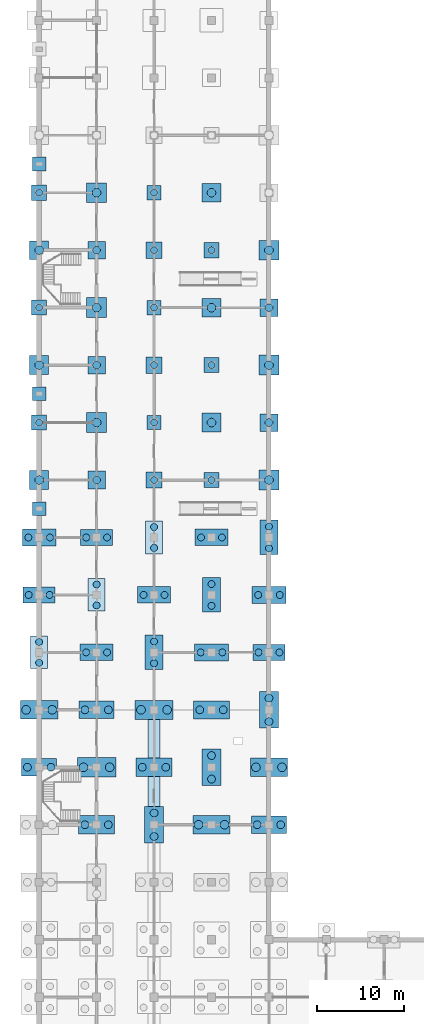
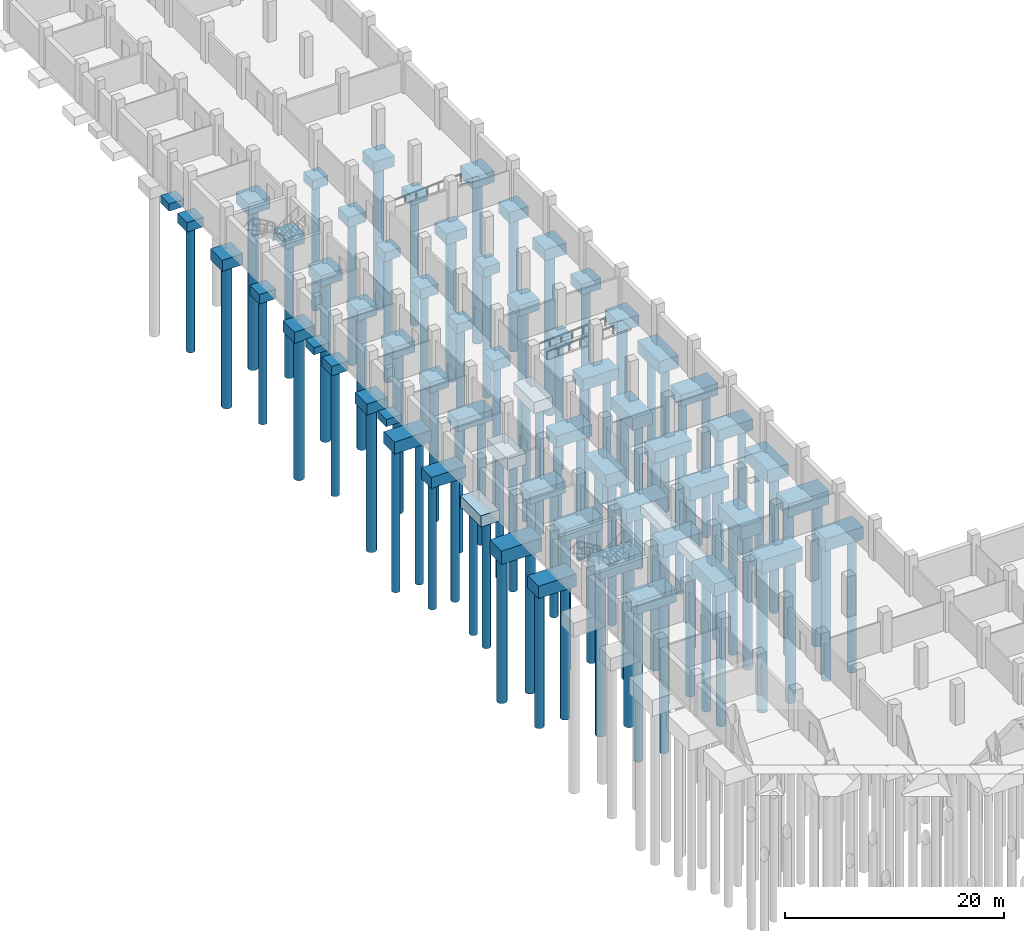
# One storey, part 4 of 18: 87 piles, 63 footings.
"""IFC4 building model written with IfcOpenShell, lengths in metres."""

from ifc_helpers import new_model, si_unit, direction, frame, origin, origin_2d, place, context, subcontext, project, spatial, rectangle, circle, extrude, material, material_profile, profile_set, type_object, element, save


model = new_model("IFC4")

# Units and contexts
model_context = context("Model", 3, precision=1e-05, world=origin(), true_north=direction((0.0, 1.0)))
body_context = subcontext(model_context, "Body", "Model", "MODEL_VIEW")
ifc_project = project(units=[si_unit("LENGTHUNIT", "METRE"), si_unit("AREAUNIT", "SQUARE_METRE"), si_unit("VOLUMEUNIT", "CUBIC_METRE"), si_unit("PLANEANGLEUNIT", "RADIAN"), si_unit("MASSUNIT", "GRAM", prefix="KILO")], contexts=[model_context])

# Site, building, storey
site_placement = place(None, origin())
site = spatial("IfcSite", under=ifc_project, at=site_placement, CompositionType="ELEMENT")
building_placement = place(site_placement, origin())
building = spatial("IfcBuilding", under=site, at=building_placement, Name="Rusizi Kubbe Research Institute", CompositionType="ELEMENT")
storey_placement = place(building_placement, frame((0.0, 0.0, -4.5)))
storey = spatial("IfcBuildingStorey", under=building, at=storey_placement, Name="B01", CompositionType="ELEMENT", Elevation=-4.5)

# Piles
ifc_material_1 = material(Name="Concrete C40/50", Category="concrete")
ifc_material_profile_1 = material_profile(ifc_material_1, circle(Radius=0.39990234375, at=origin_2d()), Name="PILE-D800")
ifc_profile_set_1 = profile_set([ifc_material_profile_1], Name="Concrete C40/50")
pile_type_1 = type_object("IfcPileType", Name="P-01", PredefinedType="BORED", material=ifc_profile_set_1)
for number, where, z_axis, x_axis, name in (
    (1, (0.0, 84.60009765625, -1.9599609375), (0.0, 0.0, -1.0), (1.0, 0.0, 0.0), "Bored Pile P-01 (0,13)-1"),
    (2, (0.0, 87.0, -1.9599609375), (0.0, 0.0, -1.0), (1.0, 0.0, 0.0), "Bored Pile P-01 (0,13)-2"),
    (3, (-1.199951171875, 92.39990234375, -1.93994140625), (0.0, 0.0, -1.0), (1.0, 0.0, 0.0), "Bored Pile P-01 (0,14)-1"),
    (4, (1.199951171875, 92.39990234375, -1.93994140625), (0.0, 0.0, -1.0), (1.0, 0.0, 0.0), "Bored Pile P-01 (0,14)-2"),
    (5, (0.0, 112.199951171875, -1.760009765625), (0.0, 0.0, -1.0), (1.0, 0.0, 0.0), "Bored Pile P-01 (0,17)-1"),
    (6, (0.0, 125.39990234375, -1.760009765625), (0.0, 0.0, -1.0), (1.0, 0.0, 0.0), "Bored Pile P-01 (0,19)-1"),
    (7, (0.0, 138.60009765625, -1.760009765625), (0.0, 0.0, -1.0), (1.0, 0.0, 0.0), "Bored Pile P-01 (0,21)-1"),
    (8, (5.39990234375, 85.800048828125, -1.97998046875), (0.0, 0.0, -1.0), (1.0, 0.0, 0.0), "Bored Pile P-01 (1,13)-1"),
    (9, (7.800048828125, 85.800048828125, -1.97998046875), (0.0, 0.0, -1.0), (1.0, 0.0, 0.0), "Bored Pile P-01 (1,13)-2"),
    (10, (6.60009765625, 91.199951171875, -1.9599609375), (0.0, 0.0, -1.0), (1.0, 0.0, 0.0), "Bored Pile P-01 (1,14)-1"),
    (11, (6.60009765625, 93.60009765625, -1.9599609375), (0.0, 0.0, -1.0), (1.0, 0.0, 0.0), "Bored Pile P-01 (1,14)-2"),
    (12, (5.39990234375, 99.0, -1.93994140625), (0.0, 0.0, -1.0), (1.0, 0.0, 0.0), "Bored Pile P-01 (1,15)-1"),
    (13, (7.800048828125, 99.0, -1.93994140625), (0.0, 0.0, -1.0), (1.0, 0.0, 0.0), "Bored Pile P-01 (1,15)-2"),
    (14, (12.0, 92.39990234375, -1.97998046875), (0.0, 0.0, -1.0), (1.0, 0.0, 0.0), "Bored Pile P-01 (2,14)-1"),
    (15, (14.39990234375, 92.39990234375, -1.97998046875), (0.0, 0.0, -1.0), (1.0, 0.0, 0.0), "Bored Pile P-01 (2,14)-2"),
    (16, (13.199951171875, 97.800048828125, -1.9599609375), (0.0, 0.0, -1.0), (1.0, 0.0, 0.0), "Bored Pile P-01 (2,15)-1"),
    (17, (13.199951171875, 100.199951171875, -1.9599609375), (0.0, 0.0, -1.0), (1.0, 0.0, 0.0), "Bored Pile P-01 (2,15)-2"),
    (18, (13.199951171875, 112.199951171875, -1.719970703125), (0.0, 0.0, -1.0), (1.0, 0.0, 0.0), "Bored Pile P-01 (2,17)-1"),
    (19, (13.199951171875, 125.39990234375, -1.719970703125), (0.0, 0.0, -1.0), (1.0, 0.0, 0.0), "Bored Pile P-01 (2,19)-1"),
    (20, (13.199951171875, 138.60009765625, -1.719970703125), (0.0, 0.0, -1.0), (1.0, 0.0, 0.0), "Bored Pile P-01 (2,21)-1"),
    (21, (18.60009765625, 99.0, -1.97998046875), (0.0, 0.0, -1.0), (1.0, 0.0, 0.0), "Bored Pile P-01 (3,15)-1"),
    (22, (21.0, 99.0, -1.97998046875), (0.0, 0.0, -1.0), (1.0, 0.0, 0.0), "Bored Pile P-01 (3,15)-2"),
    (23, (19.800048828125, 105.60009765625, -1.760009765625), (0.0, 0.0, -1.0), (1.0, 0.0, 0.0), "Bored Pile P-01 (3,16)-1"),
    (24, (19.800048828125, 118.800048828125, -1.760009765625), (0.0, 0.0, -1.0), (1.0, 0.0, 0.0), "Bored Pile P-01 (3,18)-1"),
    (25, (19.800048828125, 132.0, -1.760009765625), (0.0, 0.0, -1.0), (1.0, 0.0, 0.0), "Bored Pile P-01 (3,20)-1"),
    (26, (25.199951171875, 85.800048828125, -1.93994140625), (0.0, 0.0, -1.0), (1.0, 0.0, 0.0), "Bored Pile P-01 (4,13)-1"),
    (27, (27.60009765625, 85.800048828125, -1.93994140625), (0.0, 0.0, -1.0), (1.0, 0.0, 0.0), "Bored Pile P-01 (4,13)-2"),
):
    element("IfcPile", number, at=place(storey_placement, frame(where, z_axis=z_axis, x_axis=x_axis)), inside=storey, type_object=pile_type_1, Name=name, PredefinedType="BORED", context=body_context, shape_type="SweptSolid", body=[
        extrude(circle(Radius=0.39990234375, at=origin_2d()), origin(), (0.0, 0.0, 1.0), 14.0),
    ])
ifc_material_2 = material(Name="Concrete C40/50", Category="concrete")
ifc_material_profile_2 = material_profile(ifc_material_2, circle(Radius=0.39990234375, at=origin_2d()), Name="PILE-D800")
ifc_profile_set_2 = profile_set([ifc_material_profile_2], Name="Concrete C40/50")
pile_type_2 = type_object("IfcPileType", Name="P-02", PredefinedType="BORED", material=ifc_profile_set_2)
for number, where, z_axis, x_axis, name in (
    (28, (-1.239990234375, 99.0, -2.030029296875), (0.0, 0.0, -1.0), (1.0, 0.0, 0.0), "Bored Pile P-02 (0,15)-1"),
    (29, (1.239990234375, 99.0, -2.030029296875), (0.0, 0.0, -1.0), (1.0, 0.0, 0.0), "Bored Pile P-02 (0,15)-2"),
    (30, (13.199951171875, 84.550048828125, -2.06005859375), (0.0, 0.0, -1.0), (1.0, 0.0, 0.0), "Bored Pile P-02 (2,13)-1"),
    (31, (13.199951171875, 87.050048828125, -2.06005859375), (0.0, 0.0, -1.0), (1.0, 0.0, 0.0), "Bored Pile P-02 (2,13)-2"),
    (32, (13.199951171875, 105.60009765625, -1.820068359375), (0.0, 0.0, -1.0), (1.0, 0.0, 0.0), "Bored Pile P-02 (2,16)-1"),
    (33, (13.199951171875, 118.800048828125, -1.820068359375), (0.0, 0.0, -1.0), (1.0, 0.0, 0.0), "Bored Pile P-02 (2,18)-1"),
    (34, (13.199951171875, 132.0, -1.820068359375), (0.0, 0.0, -1.0), (1.0, 0.0, 0.0), "Bored Pile P-02 (2,20)-1"),
    (35, (18.56005859375, 85.800048828125, -2.030029296875), (0.0, 0.0, -1.0), (1.0, 0.0, 0.0), "Bored Pile P-02 (3,13)-1"),
    (36, (21.0400390625, 85.800048828125, -2.030029296875), (0.0, 0.0, -1.0), (1.0, 0.0, 0.0), "Bored Pile P-02 (3,13)-2"),
    (37, (19.800048828125, 91.14990234375, -2.06005859375), (0.0, 0.0, -1.0), (1.0, 0.0, 0.0), "Bored Pile P-02 (3,14)-1"),
    (38, (19.800048828125, 93.64990234375, -2.06005859375), (0.0, 0.0, -1.0), (1.0, 0.0, 0.0), "Bored Pile P-02 (3,14)-2"),
    (39, (25.159912109375, 92.39990234375, -2.030029296875), (0.0, 0.0, -1.0), (1.0, 0.0, 0.0), "Bored Pile P-02 (4,14)-1"),
    (40, (27.639892578125, 92.39990234375, -2.030029296875), (0.0, 0.0, -1.0), (1.0, 0.0, 0.0), "Bored Pile P-02 (4,14)-2"),
    (41, (26.39990234375, 97.75, -2.06005859375), (0.0, 0.0, -1.0), (1.0, 0.0, 0.0), "Bored Pile P-02 (4,15)-1"),
    (42, (26.39990234375, 100.25, -2.06005859375), (0.0, 0.0, -1.0), (1.0, 0.0, 0.0), "Bored Pile P-02 (4,15)-2"),
):
    element("IfcPile", number, at=place(storey_placement, frame(where, z_axis=z_axis, x_axis=x_axis)), inside=storey, type_object=pile_type_2, Name=name, PredefinedType="BORED", context=body_context, shape_type="SweptSolid", body=[
        extrude(circle(Radius=0.39990234375, at=origin_2d()), origin(), (0.0, 0.0, 1.0), 16.0),
    ])
ifc_material_3 = material(Name="Concrete C40/50", Category="concrete")
ifc_material_profile_3 = material_profile(ifc_material_3, circle(Radius=0.449951171875, at=origin_2d()), Name="PILE-D900")
ifc_profile_set_3 = profile_set([ifc_material_profile_3], Name="Concrete C40/50")
pile_type_3 = type_object("IfcPileType", Name="P-03", PredefinedType="BORED", material=ifc_profile_set_3)
for number, where, z_axis, x_axis, name in (
    (43, (-1.35009765625, 72.60009765625, -2.080078125), (0.0, 0.0, -1.0), (1.0, 0.0, 0.0), "Bored Pile P-03 (0,11)-1"),
    (44, (1.35009765625, 72.60009765625, -2.080078125), (0.0, 0.0, -1.0), (1.0, 0.0, 0.0), "Bored Pile P-03 (0,11)-2"),
    (45, (5.25, 79.199951171875, -2.080078125), (0.0, 0.0, -1.0), (1.0, 0.0, 0.0), "Bored Pile P-03 (1,12)-1"),
    (46, (7.949951171875, 79.199951171875, -2.080078125), (0.0, 0.0, -1.0), (1.0, 0.0, 0.0), "Bored Pile P-03 (1,12)-2"),
    (47, (6.60009765625, 105.60009765625, -1.8798828125), (0.0, 0.0, -1.0), (1.0, 0.0, 0.0), "Bored Pile P-03 (1,16)-1"),
    (48, (6.60009765625, 118.800048828125, -1.8798828125), (0.0, 0.0, -1.0), (1.0, 0.0, 0.0), "Bored Pile P-03 (1,18)-1"),
    (49, (6.60009765625, 132.0, -1.8798828125), (0.0, 0.0, -1.0), (1.0, 0.0, 0.0), "Bored Pile P-03 (1,20)-1"),
    (50, (13.199951171875, 64.64990234375, -2.159912109375), (0.0, 0.0, -1.0), (1.0, 0.0, 0.0), "Bored Pile P-03 (2,10)-1"),
    (51, (13.199951171875, 67.35009765625, -2.159912109375), (0.0, 0.0, -1.0), (1.0, 0.0, 0.0), "Bored Pile P-03 (2,10)-2"),
    (52, (19.800048828125, 71.25, -2.159912109375), (0.0, 0.0, -1.0), (1.0, 0.0, 0.0), "Bored Pile P-03 (3,11)-1"),
    (53, (19.800048828125, 73.949951171875, -2.159912109375), (0.0, 0.0, -1.0), (1.0, 0.0, 0.0), "Bored Pile P-03 (3,11)-2"),
    (54, (25.050048828125, 66.0, -2.080078125), (0.0, 0.0, -1.0), (1.0, 0.0, 0.0), "Bored Pile P-03 (4,10)-1"),
    (55, (27.75, 66.0, -2.080078125), (0.0, 0.0, -1.0), (1.0, 0.0, 0.0), "Bored Pile P-03 (4,10)-2"),
    (56, (26.39990234375, 77.85009765625, -2.159912109375), (0.0, 0.0, -1.0), (1.0, 0.0, 0.0), "Bored Pile P-03 (4,12)-1"),
    (57, (26.39990234375, 80.550048828125, -2.159912109375), (0.0, 0.0, -1.0), (1.0, 0.0, 0.0), "Bored Pile P-03 (4,12)-2"),
    (58, (26.39990234375, 112.199951171875, -1.8798828125), (0.0, 0.0, -1.0), (1.0, 0.0, 0.0), "Bored Pile P-03 (4,17)-1"),
    (59, (26.39990234375, 125.39990234375, -1.8798828125), (0.0, 0.0, -1.0), (1.0, 0.0, 0.0), "Bored Pile P-03 (4,19)-1"),
):
    element("IfcPile", number, at=place(storey_placement, frame(where, z_axis=z_axis, x_axis=x_axis)), inside=storey, type_object=pile_type_3, Name=name, PredefinedType="BORED", context=body_context, shape_type="SweptSolid", body=[
        extrude(circle(Radius=0.449951171875, at=origin_2d()), origin(), (0.0, 0.0, 1.0), 15.0),
    ])
ifc_material_4 = material(Name="Concrete C40/50", Category="concrete")
ifc_material_profile_4 = material_profile(ifc_material_4, circle(Radius=0.449951171875, at=origin_2d()), Name="PILE-D900")
ifc_profile_set_4 = profile_set([ifc_material_profile_4], Name="Concrete C40/50")
pile_type_4 = type_object("IfcPileType", Name="P-04", PredefinedType="BORED", material=ifc_profile_set_4)
for number, where, z_axis, x_axis, name in (
    (60, (5.25, 66.0, -2.139892578125), (0.0, 0.0, -1.0), (1.0, 0.0, 0.0), "Bored Pile P-04 (1,10)-1"),
    (61, (7.949951171875, 66.0, -2.139892578125), (0.0, 0.0, -1.0), (1.0, 0.0, 0.0), "Bored Pile P-04 (1,10)-2"),
    (62, (11.85009765625, 72.60009765625, -2.139892578125), (0.0, 0.0, -1.0), (1.0, 0.0, 0.0), "Bored Pile P-04 (2,11)-1"),
    (63, (14.550048828125, 72.60009765625, -2.139892578125), (0.0, 0.0, -1.0), (1.0, 0.0, 0.0), "Bored Pile P-04 (2,11)-2"),
    (64, (18.449951171875, 79.199951171875, -2.139892578125), (0.0, 0.0, -1.0), (1.0, 0.0, 0.0), "Bored Pile P-04 (3,12)-1"),
    (65, (21.14990234375, 79.199951171875, -2.139892578125), (0.0, 0.0, -1.0), (1.0, 0.0, 0.0), "Bored Pile P-04 (3,12)-2"),
):
    element("IfcPile", number, at=place(storey_placement, frame(where, z_axis=z_axis, x_axis=x_axis)), inside=storey, type_object=pile_type_4, Name=name, PredefinedType="BORED", context=body_context, shape_type="SweptSolid", body=[
        extrude(circle(Radius=0.449951171875, at=origin_2d()), origin(), (0.0, 0.0, 1.0), 17.0),
    ])
ifc_material_5 = material(Name="Concrete C40/50", Category="concrete")
ifc_material_profile_5 = material_profile(ifc_material_5, circle(Radius=0.5, at=origin_2d()), Name="PILE-D1000")
ifc_profile_set_5 = profile_set([ifc_material_profile_5], Name="Concrete C40/50")
pile_type_5 = type_object("IfcPileType", Name="P-05", PredefinedType="BORED", material=ifc_profile_set_5)
for number, where, z_axis, x_axis, name in (
    (66, (-1.5, 79.199951171875, -2.199951171875), (0.0, 0.0, -1.0), (1.0, 0.0, 0.0), "Bored Pile P-05 (0,12)-1"),
    (67, (1.5, 79.199951171875, -2.199951171875), (0.0, 0.0, -1.0), (1.0, 0.0, 0.0), "Bored Pile P-05 (0,12)-2"),
    (68, (0.0, 105.60009765625, -1.919921875), (0.0, 0.0, -1.0), (1.0, 0.0, 0.0), "Bored Pile P-05 (0,16)-1"),
    (69, (0.0, 118.800048828125, -1.919921875), (0.0, 0.0, -1.0), (1.0, 0.0, 0.0), "Bored Pile P-05 (0,18)-1"),
    (70, (0.0, 132.0, -1.919921875), (0.0, 0.0, -1.0), (1.0, 0.0, 0.0), "Bored Pile P-05 (0,20)-1"),
    (71, (18.300048828125, 66.0, -2.199951171875), (0.0, 0.0, -1.0), (1.0, 0.0, 0.0), "Bored Pile P-05 (3,10)-1"),
    (72, (21.300048828125, 66.0, -2.199951171875), (0.0, 0.0, -1.0), (1.0, 0.0, 0.0), "Bored Pile P-05 (3,10)-2"),
    (73, (19.800048828125, 112.199951171875, -1.919921875), (0.0, 0.0, -1.0), (1.0, 0.0, 0.0), "Bored Pile P-05 (3,17)-1"),
    (74, (19.800048828125, 125.39990234375, -1.919921875), (0.0, 0.0, -1.0), (1.0, 0.0, 0.0), "Bored Pile P-05 (3,19)-1"),
    (75, (19.800048828125, 138.60009765625, -1.919921875), (0.0, 0.0, -1.0), (1.0, 0.0, 0.0), "Bored Pile P-05 (3,21)-1"),
    (76, (24.89990234375, 72.60009765625, -2.199951171875), (0.0, 0.0, -1.0), (1.0, 0.0, 0.0), "Bored Pile P-05 (4,11)-1"),
    (77, (27.89990234375, 72.60009765625, -2.199951171875), (0.0, 0.0, -1.0), (1.0, 0.0, 0.0), "Bored Pile P-05 (4,11)-2"),
):
    element("IfcPile", number, at=place(storey_placement, frame(where, z_axis=z_axis, x_axis=x_axis)), inside=storey, type_object=pile_type_5, Name=name, PredefinedType="BORED", context=body_context, shape_type="SweptSolid", body=[
        extrude(circle(Radius=0.5, at=origin_2d()), origin(), (0.0, 0.0, 1.0), 16.0),
    ])
ifc_material_6 = material(Name="Concrete C40/50", Category="concrete")
ifc_material_profile_6 = material_profile(ifc_material_6, circle(Radius=0.5, at=origin_2d()), Name="PILE-D1000")
ifc_profile_set_6 = profile_set([ifc_material_profile_6], Name="Concrete C40/50")
pile_type_6 = type_object("IfcPileType", Name="P-06", PredefinedType="BORED", material=ifc_profile_set_6)
for number, where, z_axis, x_axis, name in (
    (78, (5.10009765625, 72.60009765625, -2.25), (0.0, 0.0, -1.0), (1.0, 0.0, 0.0), "Bored Pile P-06 (1,11)-1"),
    (79, (8.10009765625, 72.60009765625, -2.25), (0.0, 0.0, -1.0), (1.0, 0.0, 0.0), "Bored Pile P-06 (1,11)-2"),
    (80, (6.60009765625, 112.199951171875, -1.9599609375), (0.0, 0.0, -1.0), (1.0, 0.0, 0.0), "Bored Pile P-06 (1,17)-1"),
    (81, (6.60009765625, 125.39990234375, -1.9599609375), (0.0, 0.0, -1.0), (1.0, 0.0, 0.0), "Bored Pile P-06 (1,19)-1"),
    (82, (6.60009765625, 138.60009765625, -1.9599609375), (0.0, 0.0, -1.0), (1.0, 0.0, 0.0), "Bored Pile P-06 (1,21)-1"),
    (83, (11.699951171875, 79.199951171875, -2.25), (0.0, 0.0, -1.0), (1.0, 0.0, 0.0), "Bored Pile P-06 (2,12)-1"),
    (84, (14.699951171875, 79.199951171875, -2.25), (0.0, 0.0, -1.0), (1.0, 0.0, 0.0), "Bored Pile P-06 (2,12)-2"),
    (85, (26.39990234375, 105.60009765625, -1.9599609375), (0.0, 0.0, -1.0), (1.0, 0.0, 0.0), "Bored Pile P-06 (4,16)-1"),
    (86, (26.39990234375, 118.800048828125, -1.9599609375), (0.0, 0.0, -1.0), (1.0, 0.0, 0.0), "Bored Pile P-06 (4,18)-1"),
    (87, (26.39990234375, 132.0, -1.9599609375), (0.0, 0.0, -1.0), (1.0, 0.0, 0.0), "Bored Pile P-06 (4,20)-1"),
):
    element("IfcPile", number, at=place(storey_placement, frame(where, z_axis=z_axis, x_axis=x_axis)), inside=storey, type_object=pile_type_6, Name=name, PredefinedType="BORED", context=body_context, shape_type="SweptSolid", body=[
        extrude(circle(Radius=0.5, at=origin_2d()), origin(), (0.0, 0.0, 1.0), 18.0),
    ])

# Footings
ifc_material_7 = material(Name="Concrete C40/50", Category="concrete")
footing_type_1 = type_object("IfcFootingType", Name="PC-05", PredefinedType="PILE_CAP", material=ifc_material_7)
for number, where, z_axis, x_axis, name in (
    (88, (6.60009765625, 72.60009765625, -2.25), (0.0, 0.0, 1.0), (1.0, 0.0, 0.0), "Pile Cap PC-05 (1,11)"),
    (89, (13.199951171875, 79.199951171875, -2.25), (0.0, 0.0, 1.0), (1.0, 0.0, 0.0), "Pile Cap PC-05 (2,12)"),
):
    element("IfcFooting", number, at=place(storey_placement, frame(where, z_axis=z_axis, x_axis=x_axis)), inside=storey, type_object=footing_type_1, Name=name, PredefinedType="PILE_CAP", context=body_context, shape_type="SweptSolid", body=[
        extrude(rectangle(XDim=4.39990234375, YDim=2.199951171875, at=origin_2d()), origin(), (0.0, 0.0, 1.0), 1.550048828125),
    ])
ifc_material_8 = material(Name="Concrete C40/50", Category="concrete")
footing_type_2 = type_object("IfcFootingType", Name="PC-06", PredefinedType="PILE_CAP", material=ifc_material_8)
for number, where, z_axis, x_axis, name in (
    (90, (0.0, 79.199951171875, -2.199951171875), (0.0, 0.0, 1.0), (1.0, 0.0, 0.0), "Pile Cap PC-06 (0,12)"),
    (91, (19.800048828125, 66.0, -2.199951171875), (0.0, 0.0, 1.0), (1.0, 0.0, 0.0), "Pile Cap PC-06 (3,10)"),
    (92, (26.39990234375, 72.60009765625, -2.199951171875), (0.0, 0.0, 1.0), (1.0, 0.0, 0.0), "Pile Cap PC-06 (4,11)"),
):
    element("IfcFooting", number, at=place(storey_placement, frame(where, z_axis=z_axis, x_axis=x_axis)), inside=storey, type_object=footing_type_2, Name=name, PredefinedType="PILE_CAP", context=body_context, shape_type="SweptSolid", body=[
        extrude(rectangle(XDim=4.280029296875, YDim=2.139892578125, at=origin_2d()), origin(), (0.0, 0.0, 1.0), 1.5),
    ])
ifc_material_9 = material(Name="Concrete C40/50", Category="concrete")
footing_type_3 = type_object("IfcFootingType", Name="PC-07", PredefinedType="PILE_CAP", material=ifc_material_9)
for number, where, z_axis, x_axis, name in (
    (93, (6.60009765625, 66.0, -2.139892578125), (0.0, 0.0, 1.0), (1.0, 0.0, 0.0), "Pile Cap PC-07 (1,10)"),
    (94, (13.199951171875, 72.60009765625, -2.139892578125), (0.0, 0.0, 1.0), (1.0, 0.0, 0.0), "Pile Cap PC-07 (2,11)"),
    (95, (19.800048828125, 79.199951171875, -2.139892578125), (0.0, 0.0, 1.0), (1.0, 0.0, 0.0), "Pile Cap PC-07 (3,12)"),
):
    element("IfcFooting", number, at=place(storey_placement, frame(where, z_axis=z_axis, x_axis=x_axis)), inside=storey, type_object=footing_type_3, Name=name, PredefinedType="PILE_CAP", context=body_context, shape_type="SweptSolid", body=[
        extrude(rectangle(XDim=4.1201171875, YDim=2.080078125, at=origin_2d()), origin(), (0.0, 0.0, 1.0), 1.43994140625),
    ])
ifc_material_10 = material(Name="Concrete C40/50", Category="concrete")
footing_type_4 = type_object("IfcFootingType", Name="PC-08", PredefinedType="PILE_CAP", material=ifc_material_10)
for number, where, z_axis, x_axis, name in (
    (96, (0.0, 72.60009765625, -2.079833984375), (0.0, 0.0, 1.0), (1.0, 0.0, 0.0), "Pile Cap PC-08 (0,11)"),
    (97, (6.60009765625, 79.199951171875, -2.079833984375), (0.0, 0.0, 1.0), (1.0, 0.0, 0.0), "Pile Cap PC-08 (1,12)"),
    (98, (26.39990234375, 66.0, -2.079833984375), (0.0, 0.0, 1.0), (1.0, 0.0, 0.0), "Pile Cap PC-08 (4,10)"),
):
    element("IfcFooting", number, at=place(storey_placement, frame(where, z_axis=z_axis, x_axis=x_axis)), inside=storey, type_object=footing_type_4, Name=name, PredefinedType="PILE_CAP", context=body_context, shape_type="SweptSolid", body=[
        extrude(rectangle(XDim=4.0, YDim=2.0, at=origin_2d()), origin(), (0.0, 0.0, 1.0), 1.3798828125),
    ])
ifc_material_11 = material(Name="Concrete C40/50", Category="concrete")
footing_type_5 = type_object("IfcFootingType", Name="PC-09", PredefinedType="PILE_CAP", material=ifc_material_11)
for number, where, z_axis, x_axis, name in (
    (99, (0.0, 99.0, -2.030029296875), (0.0, 0.0, 1.0), (1.0, 0.0, 0.0), "Pile Cap PC-09 (0,15)"),
    (100, (19.800048828125, 85.800048828125, -2.030029296875), (0.0, 0.0, 1.0), (1.0, 0.0, 0.0), "Pile Cap PC-09 (3,13)"),
    (101, (26.39990234375, 92.39990234375, -2.030029296875), (0.0, 0.0, 1.0), (1.0, 0.0, 0.0), "Pile Cap PC-09 (4,14)"),
):
    element("IfcFooting", number, at=place(storey_placement, frame(where, z_axis=z_axis, x_axis=x_axis)), inside=storey, type_object=footing_type_5, Name=name, PredefinedType="PILE_CAP", context=body_context, shape_type="SweptSolid", body=[
        extrude(rectangle(XDim=3.8798828125, YDim=1.9599609375, at=origin_2d()), origin(), (0.0, 0.0, 1.0), 1.330078125),
    ])
ifc_material_12 = material(Name="Concrete C40/50", Category="concrete")
footing_type_6 = type_object("IfcFootingType", Name="PC-10", PredefinedType="PILE_CAP", material=ifc_material_12)
for number, where, z_axis, x_axis, name in (
    (102, (6.60009765625, 85.800048828125, -1.97998046875), (0.0, 0.0, 1.0), (1.0, 0.0, 0.0), "Pile Cap PC-10 (1,13)"),
    (103, (13.199951171875, 92.39990234375, -1.97998046875), (0.0, 0.0, 1.0), (1.0, 0.0, 0.0), "Pile Cap PC-10 (2,14)"),
    (104, (19.800048828125, 99.0, -1.97998046875), (0.0, 0.0, 1.0), (1.0, 0.0, 0.0), "Pile Cap PC-10 (3,15)"),
):
    element("IfcFooting", number, at=place(storey_placement, frame(where, z_axis=z_axis, x_axis=x_axis)), inside=storey, type_object=footing_type_6, Name=name, PredefinedType="PILE_CAP", context=body_context, shape_type="SweptSolid", body=[
        extrude(rectangle(XDim=3.760009765625, YDim=1.89990234375, at=origin_2d()), origin(), (0.0, 0.0, 1.0), 1.280029296875),
    ])
ifc_material_13 = material(Name="Concrete C40/50", Category="concrete")
footing_type_7 = type_object("IfcFootingType", Name="PC-11", PredefinedType="PILE_CAP", material=ifc_material_13)
for number, where, z_axis, x_axis, name in (
    (105, (0.0, 92.39990234375, -1.93994140625), (0.0, 0.0, 1.0), (1.0, 0.0, 0.0), "Pile Cap PC-11 (0,14)"),
    (106, (6.60009765625, 99.0, -1.93994140625), (0.0, 0.0, 1.0), (1.0, 0.0, 0.0), "Pile Cap PC-11 (1,15)"),
    (107, (26.39990234375, 85.800048828125, -1.93994140625), (0.0, 0.0, 1.0), (1.0, 0.0, 0.0), "Pile Cap PC-11 (4,13)"),
):
    element("IfcFooting", number, at=place(storey_placement, frame(where, z_axis=z_axis, x_axis=x_axis)), inside=storey, type_object=footing_type_7, Name=name, PredefinedType="PILE_CAP", context=body_context, shape_type="SweptSolid", body=[
        extrude(rectangle(XDim=3.659912109375, YDim=1.840087890625, at=origin_2d()), origin(), (0.0, 0.0, 1.0), 1.239990234375),
    ])
ifc_material_14 = material(Name="Concrete C40/50", Category="concrete")
footing_type_8 = type_object("IfcFootingType", Name="PC-12", PredefinedType="PILE_CAP", material=ifc_material_14)
for number, where, z_axis, x_axis, name in (
    (108, (13.199951171875, 66.0, -2.159912109375), (0.0, 0.0, 1.0), (1.0, 0.0, 0.0), "Pile Cap PC-12 (2,10)"),
    (109, (19.800048828125, 72.60009765625, -2.159912109375), (0.0, 0.0, 1.0), (1.0, 0.0, 0.0), "Pile Cap PC-12 (3,11)"),
    (110, (26.39990234375, 79.199951171875, -2.159912109375), (0.0, 0.0, 1.0), (1.0, 0.0, 0.0), "Pile Cap PC-12 (4,12)"),
):
    element("IfcFooting", number, at=place(storey_placement, frame(where, z_axis=z_axis, x_axis=x_axis)), inside=storey, type_object=footing_type_8, Name=name, PredefinedType="PILE_CAP", context=body_context, shape_type="SweptSolid", body=[
        extrude(rectangle(XDim=2.199951171875, YDim=4.159912109375, at=origin_2d()), origin(), (0.0, 0.0, 1.0), 1.4599609375),
    ])
ifc_material_15 = material(Name="Concrete C40/50", Category="concrete")
footing_type_9 = type_object("IfcFootingType", Name="PC-13", PredefinedType="PILE_CAP", material=ifc_material_15)
for number, where, z_axis, x_axis, name in (
    (111, (13.199951171875, 85.800048828125, -2.06005859375), (0.0, 0.0, 1.0), (1.0, 0.0, 0.0), "Pile Cap PC-13 (2,13)"),
    (112, (19.800048828125, 92.39990234375, -2.06005859375), (0.0, 0.0, 1.0), (1.0, 0.0, 0.0), "Pile Cap PC-13 (3,14)"),
    (113, (26.39990234375, 99.0, -2.06005859375), (0.0, 0.0, 1.0), (1.0, 0.0, 0.0), "Pile Cap PC-13 (4,15)"),
):
    element("IfcFooting", number, at=place(storey_placement, frame(where, z_axis=z_axis, x_axis=x_axis)), inside=storey, type_object=footing_type_9, Name=name, PredefinedType="PILE_CAP", context=body_context, shape_type="SweptSolid", body=[
        extrude(rectangle(XDim=2.06005859375, YDim=3.9599609375, at=origin_2d()), origin(), (0.0, 0.0, 1.0), 1.360107421875),
    ])
ifc_material_16 = material(Name="Concrete C40/50", Category="concrete")
footing_type_10 = type_object("IfcFootingType", Name="PC-14", PredefinedType="PILE_CAP", material=ifc_material_16)
for number, where, z_axis, x_axis, name in (
    (114, (0.0, 85.800048828125, -1.9599609375), (0.0, 0.0, 1.0), (1.0, 0.0, 0.0), "Pile Cap PC-14 (0,13)"),
    (115, (6.60009765625, 92.39990234375, -1.9599609375), (0.0, 0.0, 1.0), (1.0, 0.0, 0.0), "Pile Cap PC-14 (1,14)"),
    (116, (13.199951171875, 99.0, -1.9599609375), (0.0, 0.0, 1.0), (1.0, 0.0, 0.0), "Pile Cap PC-14 (2,15)"),
):
    element("IfcFooting", number, at=place(storey_placement, frame(where, z_axis=z_axis, x_axis=x_axis)), inside=storey, type_object=footing_type_10, Name=name, PredefinedType="PILE_CAP", context=body_context, shape_type="SweptSolid", body=[
        extrude(rectangle(XDim=1.93994140625, YDim=3.739990234375, at=origin_2d()), origin(), (0.0, 0.0, 1.0), 1.260009765625),
    ])
ifc_material_17 = material(Name="Concrete C40/50", Category="concrete")
footing_type_11 = type_object("IfcFootingType", Name="PC-15", PredefinedType="PILE_CAP", material=ifc_material_17)
for number, where, z_axis, x_axis, name in (
    (117, (0.0, 105.60009765625, -1.919921875), (0.0, 0.0, 1.0), (1.0, 0.0, 0.0), "Pile Cap PC-15 (0,16)"),
    (118, (0.0, 118.800048828125, -1.919921875), (0.0, 0.0, 1.0), (1.0, 0.0, 0.0), "Pile Cap PC-15 (0,18)"),
    (119, (0.0, 132.0, -1.919921875), (0.0, 0.0, 1.0), (1.0, 0.0, 0.0), "Pile Cap PC-15 (0,20)"),
    (120, (19.800048828125, 112.199951171875, -1.919921875), (0.0, 0.0, 1.0), (1.0, 0.0, 0.0), "Pile Cap PC-15 (3,17)"),
    (121, (19.800048828125, 125.39990234375, -1.919921875), (0.0, 0.0, 1.0), (1.0, 0.0, 0.0), "Pile Cap PC-15 (3,19)"),
    (122, (19.800048828125, 138.60009765625, -1.919921875), (0.0, 0.0, 1.0), (1.0, 0.0, 0.0), "Pile Cap PC-15 (3,21)"),
):
    element("IfcFooting", number, at=place(storey_placement, frame(where, z_axis=z_axis, x_axis=x_axis)), inside=storey, type_object=footing_type_11, Name=name, PredefinedType="PILE_CAP", context=body_context, shape_type="SweptSolid", body=[
        extrude(rectangle(XDim=2.159912109375, YDim=2.159912109375, at=origin_2d()), origin(), (0.0, 0.0, 1.0), 1.219970703125),
    ])
ifc_material_18 = material(Name="Concrete C40/50", Category="concrete")
footing_type_12 = type_object("IfcFootingType", Name="PC-16", PredefinedType="PILE_CAP", material=ifc_material_18)
for number, where, z_axis, x_axis, name in (
    (123, (6.60009765625, 105.60009765625, -1.8798828125), (0.0, 0.0, 1.0), (1.0, 0.0, 0.0), "Pile Cap PC-16 (1,16)"),
    (124, (6.60009765625, 118.800048828125, -1.8798828125), (0.0, 0.0, 1.0), (1.0, 0.0, 0.0), "Pile Cap PC-16 (1,18)"),
    (125, (6.60009765625, 132.0, -1.8798828125), (0.0, 0.0, 1.0), (1.0, 0.0, 0.0), "Pile Cap PC-16 (1,20)"),
    (126, (26.39990234375, 112.199951171875, -1.8798828125), (0.0, 0.0, 1.0), (1.0, 0.0, 0.0), "Pile Cap PC-16 (4,17)"),
    (127, (26.39990234375, 125.39990234375, -1.8798828125), (0.0, 0.0, 1.0), (1.0, 0.0, 0.0), "Pile Cap PC-16 (4,19)"),
):
    element("IfcFooting", number, at=place(storey_placement, frame(where, z_axis=z_axis, x_axis=x_axis)), inside=storey, type_object=footing_type_12, Name=name, PredefinedType="PILE_CAP", context=body_context, shape_type="SweptSolid", body=[
        extrude(rectangle(XDim=2.02001953125, YDim=2.02001953125, at=origin_2d()), origin(), (0.0, 0.0, 1.0), 1.179931640625),
    ])
ifc_material_19 = material(Name="Concrete C40/50", Category="concrete")
footing_type_13 = type_object("IfcFootingType", Name="PC-17", PredefinedType="PILE_CAP", material=ifc_material_19)
for number, where, z_axis, x_axis, name in (
    (128, (13.199951171875, 105.60009765625, -1.820068359375), (0.0, 0.0, 1.0), (1.0, 0.0, 0.0), "Pile Cap PC-17 (2,16)"),
    (129, (13.199951171875, 118.800048828125, -1.820068359375), (0.0, 0.0, 1.0), (1.0, 0.0, 0.0), "Pile Cap PC-17 (2,18)"),
    (130, (13.199951171875, 132.0, -1.820068359375), (0.0, 0.0, 1.0), (1.0, 0.0, 0.0), "Pile Cap PC-17 (2,20)"),
):
    element("IfcFooting", number, at=place(storey_placement, frame(where, z_axis=z_axis, x_axis=x_axis)), inside=storey, type_object=footing_type_13, Name=name, PredefinedType="PILE_CAP", context=body_context, shape_type="SweptSolid", body=[
        extrude(rectangle(XDim=1.8798828125, YDim=1.8798828125, at=origin_2d()), origin(), (0.0, 0.0, 1.0), 1.1201171875),
    ])
ifc_material_20 = material(Name="Concrete C40/50", Category="concrete")
footing_type_14 = type_object("IfcFootingType", Name="PC-18", PredefinedType="PILE_CAP", material=ifc_material_20)
for number, where, z_axis, x_axis, name in (
    (131, (0.0, 112.199951171875, -1.760009765625), (0.0, 0.0, 1.0), (1.0, 0.0, 0.0), "Pile Cap PC-18 (0,17)"),
    (132, (0.0, 125.39990234375, -1.760009765625), (0.0, 0.0, 1.0), (1.0, 0.0, 0.0), "Pile Cap PC-18 (0,19)"),
    (133, (0.0, 138.60009765625, -1.760009765625), (0.0, 0.0, 1.0), (1.0, 0.0, 0.0), "Pile Cap PC-18 (0,21)"),
    (134, (19.800048828125, 105.60009765625, -1.760009765625), (0.0, 0.0, 1.0), (1.0, 0.0, 0.0), "Pile Cap PC-18 (3,16)"),
    (135, (19.800048828125, 118.800048828125, -1.760009765625), (0.0, 0.0, 1.0), (1.0, 0.0, 0.0), "Pile Cap PC-18 (3,18)"),
    (136, (19.800048828125, 132.0, -1.760009765625), (0.0, 0.0, 1.0), (1.0, 0.0, 0.0), "Pile Cap PC-18 (3,20)"),
):
    element("IfcFooting", number, at=place(storey_placement, frame(where, z_axis=z_axis, x_axis=x_axis)), inside=storey, type_object=footing_type_14, Name=name, PredefinedType="PILE_CAP", context=body_context, shape_type="SweptSolid", body=[
        extrude(rectangle(XDim=1.739990234375, YDim=1.739990234375, at=origin_2d()), origin(), (0.0, 0.0, 1.0), 1.06005859375),
    ])
ifc_material_21 = material(Name="Concrete C40/50", Category="concrete")
footing_type_15 = type_object("IfcFootingType", Name="PC-19", PredefinedType="PILE_CAP", material=ifc_material_21)
for number, where, z_axis, x_axis, name in (
    (137, (6.60009765625, 112.199951171875, -1.9599609375), (0.0, 0.0, 1.0), (1.0, 0.0, 0.0), "Pile Cap PC-19 (1,17)"),
    (138, (6.60009765625, 125.39990234375, -1.9599609375), (0.0, 0.0, 1.0), (1.0, 0.0, 0.0), "Pile Cap PC-19 (1,19)"),
    (139, (6.60009765625, 138.60009765625, -1.9599609375), (0.0, 0.0, 1.0), (1.0, 0.0, 0.0), "Pile Cap PC-19 (1,21)"),
    (140, (26.39990234375, 105.60009765625, -1.9599609375), (0.0, 0.0, 1.0), (1.0, 0.0, 0.0), "Pile Cap PC-19 (4,16)"),
    (141, (26.39990234375, 118.800048828125, -1.9599609375), (0.0, 0.0, 1.0), (1.0, 0.0, 0.0), "Pile Cap PC-19 (4,18)"),
    (142, (26.39990234375, 132.0, -1.9599609375), (0.0, 0.0, 1.0), (1.0, 0.0, 0.0), "Pile Cap PC-19 (4,20)"),
):
    element("IfcFooting", number, at=place(storey_placement, frame(where, z_axis=z_axis, x_axis=x_axis)), inside=storey, type_object=footing_type_15, Name=name, PredefinedType="PILE_CAP", context=body_context, shape_type="SweptSolid", body=[
        extrude(rectangle(XDim=2.280029296875, YDim=2.280029296875, at=origin_2d()), origin(), (0.0, 0.0, 1.0), 1.260009765625),
    ])
ifc_material_22 = material(Name="Concrete C40/50", Category="concrete")
footing_type_16 = type_object("IfcFootingType", Name="PC-20", PredefinedType="PILE_CAP", material=ifc_material_22)
for number, where, z_axis, x_axis, name in (
    (143, (13.199951171875, 112.199951171875, -1.719970703125), (0.0, 0.0, 1.0), (1.0, 0.0, 0.0), "Pile Cap PC-20 (2,17)"),
    (144, (13.199951171875, 125.39990234375, -1.719970703125), (0.0, 0.0, 1.0), (1.0, 0.0, 0.0), "Pile Cap PC-20 (2,19)"),
    (145, (13.199951171875, 138.60009765625, -1.719970703125), (0.0, 0.0, 1.0), (1.0, 0.0, 0.0), "Pile Cap PC-20 (2,21)"),
):
    element("IfcFooting", number, at=place(storey_placement, frame(where, z_axis=z_axis, x_axis=x_axis)), inside=storey, type_object=footing_type_16, Name=name, PredefinedType="PILE_CAP", context=body_context, shape_type="SweptSolid", body=[
        extrude(rectangle(XDim=1.639892578125, YDim=1.639892578125, at=origin_2d()), origin(), (0.0, 0.0, 1.0), 1.02001953125),
    ])
ifc_material_23 = material(Name="Concrete C40/50", Category="concrete")
footing_type_17 = type_object("IfcFootingType", Name="PF-04", PredefinedType="PAD_FOOTING", material=ifc_material_23)
for number, where, z_axis, x_axis, name in (
    (146, (0.0, 102.300048828125, -1.5), (0.0, 0.0, 1.0), (1.0, 0.0, 0.0), "Pilaster Pad Footing PF-04 W15"),
    (147, (0.0, 115.5, -1.5), (0.0, 0.0, 1.0), (1.0, 0.0, 0.0), "Pilaster Pad Footing PF-04 W17"),
    (148, (0.0, 141.89990234375, -1.5), (0.0, 0.0, 1.0), (1.0, 0.0, 0.0), "Pilaster Pad Footing PF-04 W21"),
):
    element("IfcFooting", number, at=place(storey_placement, frame(where, z_axis=z_axis, x_axis=x_axis)), inside=storey, type_object=footing_type_17, Name=name, PredefinedType="PAD_FOOTING", context=body_context, shape_type="SweptSolid", body=[
        extrude(rectangle(XDim=1.580078125, YDim=1.580078125, at=origin_2d()), origin(), (0.0, 0.0, 1.0), 0.800048828125),
    ])
ifc_material_24 = material(Name="Concrete C40/50", Category="concrete")
footing_type_18 = type_object("IfcFootingType", Name="SF-01", PredefinedType="STRIP_FOOTING", material=ifc_material_24)
footing_1_placement = place(storey_placement, frame((13.199951171875, 69.820068359375, -1.56005859375), z_axis=(0.0, 0.0, 1.0), x_axis=(0.0, 1.0, 0.0)))
element("IfcFooting", 149, at=footing_1_placement, inside=storey, type_object=footing_type_18, Name="Continuous Strip Footing SF-01-07", PredefinedType="STRIP_FOOTING", context=body_context, shape_type="SweptSolid", body=[
    extrude(rectangle(XDim=3.464111328125, YDim=1.39990234375, at=origin_2d()), origin(), (0.0, 0.0, 1.0), 0.860107421875),
])
footing_2_placement = place(storey_placement, frame((13.199951171875, 75.8701171875, -1.56005859375), z_axis=(0.0, 0.0, 1.0), x_axis=(0.0, 1.0, 0.0)))
element("IfcFooting", 150, at=footing_2_placement, inside=storey, type_object=footing_type_18, Name="Continuous Strip Footing SF-01-08", PredefinedType="STRIP_FOOTING", context=body_context, shape_type="SweptSolid", body=[
    extrude(rectangle(XDim=4.444091796875, YDim=1.39990234375, at=origin_2d()), origin(), (0.0, 0.0, 1.0), 0.860107421875),
])

save(model, "model.ifc")
